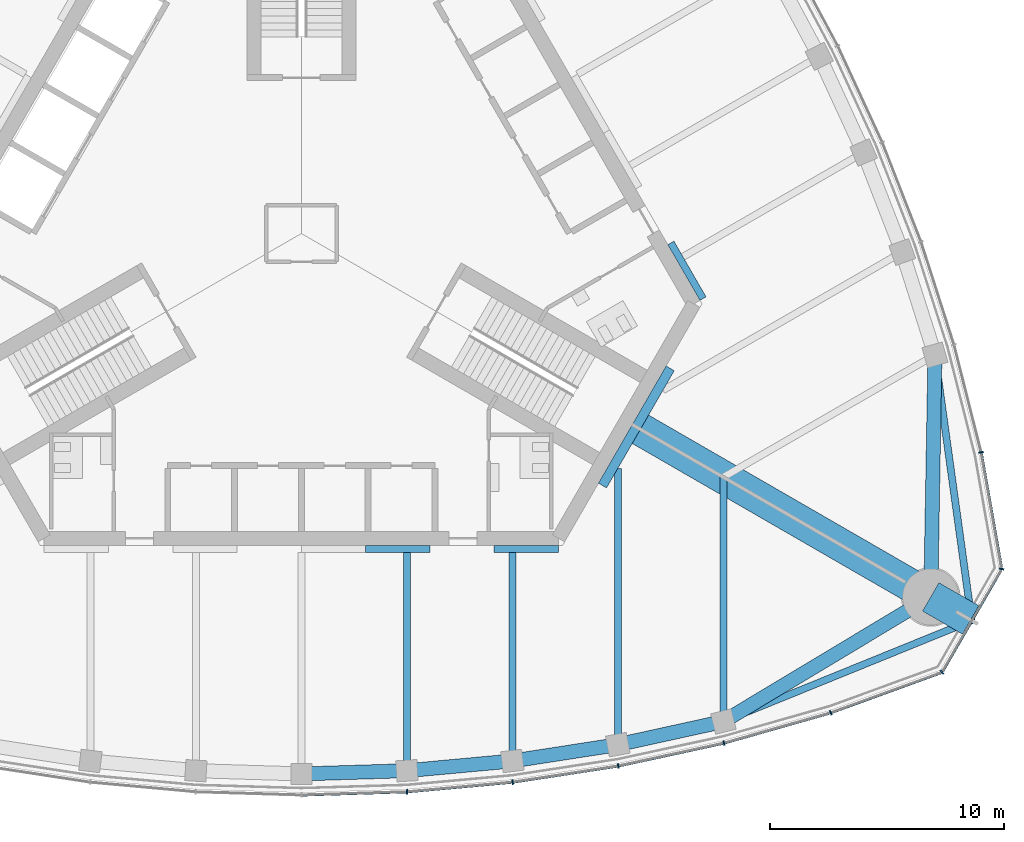
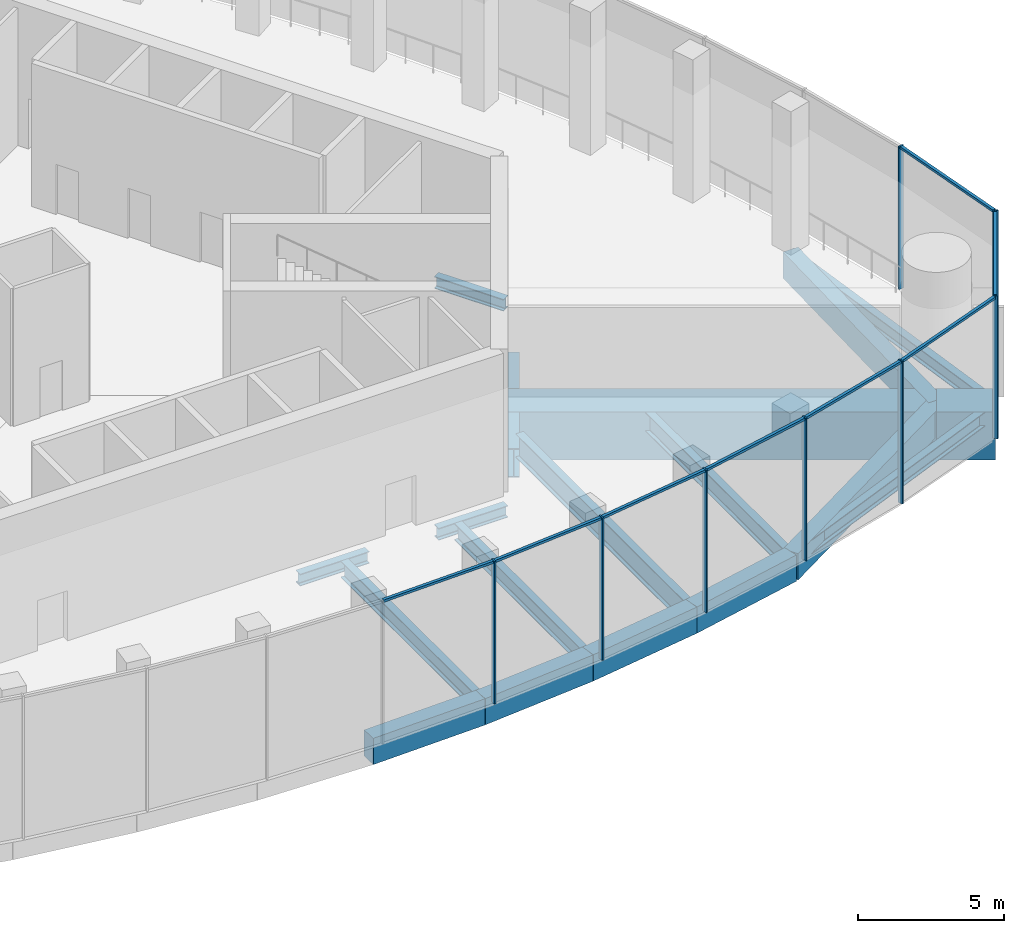
# One storey, part 4 of 15: 19 beams, 16 members, 2 elements without a shape of their own.
"""IFC4 building model written with IfcOpenShell, lengths in metres."""

from ifc_helpers import new_model, si_unit, direction, frame, origin, origin_2d, place, context, subcontext, project, spatial, rectangle, i_section, extrude, material, material_profile, profile_set, type_object, element, aggregate, save


model = new_model("IFC4")

# Units and contexts
model_context = context("Model", 3, precision=1e-05, world=origin(), true_north=direction((0.0, 1.0)))
body_context = subcontext(model_context, "Body", "Model", "MODEL_VIEW")
ifc_project = project(units=[si_unit("LENGTHUNIT", "METRE"), si_unit("AREAUNIT", "SQUARE_METRE"), si_unit("VOLUMEUNIT", "CUBIC_METRE"), si_unit("PLANEANGLEUNIT", "RADIAN"), si_unit("MASSUNIT", "GRAM", prefix="KILO")], contexts=[model_context])

# Site, building, storey
site_placement = place(None, origin())
site = spatial("IfcSite", under=ifc_project, at=site_placement, CompositionType="ELEMENT")
building_placement = place(site_placement, origin())
building = spatial("IfcBuilding", under=site, at=building_placement, Name="Trefoil Bronze Tower", CompositionType="ELEMENT")
storey_placement = place(building_placement, frame((0.0, 0.0, 322.5)))
storey = spatial("IfcBuildingStorey", under=building, at=storey_placement, Name="L74", CompositionType="ELEMENT", Elevation=322.5)

# Curtain wall, members
ifc_material_1 = material(Name="Tinted solar-control glass", Category="glass")
curtain_wall_type_1 = type_object("IfcCurtainWallType", Name="Bronze observation curtain wall", PredefinedType="USERDEFINED", material=ifc_material_1)
curtain_wall_1_placement = place(storey_placement, origin())
curtain_wall_1 = element("IfcCurtainWall", 1, at=curtain_wall_1_placement, inside=storey, type_object=curtain_wall_type_1, Name="CW-E L74 F1", ObjectType="CURTAIN WALL", PredefinedType="USERDEFINED")
ifc_material_2 = material(Name="Bronze-finish aluminium", Category="aluminium")
ifc_material_profile_1 = material_profile(ifc_material_2, rectangle(XDim=0.199951171875, YDim=0.06005859375, at=origin_2d()), Name="CW-E mullion")
ifc_profile_set_1 = profile_set([ifc_material_profile_1], Name="Bronze-finish aluminium")
member_type_1 = type_object("IfcMemberType", Name="Bronze observation curtain wall mullion", PredefinedType="MULLION", material=ifc_profile_set_1)
member_1_placement = place(storey_placement, frame((4.506103515625, -23.815185546875, 0.0), z_axis=(0.0, 0.0, 1.0), x_axis=(-0.060554040199, 0.998164920349, 0.0)))
member_1 = element("IfcMember", 2, at=member_1_placement, type_object=member_type_1, Name="CW-E L74 F1 mullion 7", PredefinedType="MULLION", context=body_context, shape_type="SweptSolid", body=[
    extrude(rectangle(XDim=0.199951171875, YDim=0.06005859375, at=origin_2d()), origin(), (0.0, 0.0, 1.0), 5.97998046875),
])
member_2_placement = place(storey_placement, frame((9.01220703125, -23.404296875, 0.0), z_axis=(0.0, 0.0, 1.0), x_axis=(-0.121109330868, 0.992639174109, 0.0)))
member_2 = element("IfcMember", 3, at=member_2_placement, type_object=member_type_1, Name="CW-E L74 F1 mullion 8", PredefinedType="MULLION", context=body_context, shape_type="SweptSolid", body=[
    extrude(rectangle(XDim=0.199951171875, YDim=0.06005859375, at=origin_2d()), origin(), (0.0, 0.0, 1.0), 5.97998046875),
])
member_3_placement = place(storey_placement, frame((13.51806640625, -22.714599609375, 0.0), z_axis=(0.0, 0.0, 1.0), x_axis=(-0.181667218242, 0.983360067227, 0.0)))
member_3 = element("IfcMember", 4, at=member_3_placement, type_object=member_type_1, Name="CW-E L74 F1 mullion 9", PredefinedType="MULLION", context=body_context, shape_type="SweptSolid", body=[
    extrude(rectangle(XDim=0.199951171875, YDim=0.06005859375, at=origin_2d()), origin(), (0.0, 0.0, 1.0), 5.97998046875),
])
member_4_placement = place(storey_placement, frame((18.024169921875, -21.73779296875, 0.0), z_axis=(0.0, 0.0, 1.0), x_axis=(-0.242394494031, 0.97017777199, 0.0)))
member_4 = element("IfcMember", 5, at=member_4_placement, type_object=member_type_1, Name="CW-E L74 F1 mullion 10", PredefinedType="MULLION", context=body_context, shape_type="SweptSolid", body=[
    extrude(rectangle(XDim=0.199951171875, YDim=0.06005859375, at=origin_2d()), origin(), (0.0, 0.0, 1.0), 5.97998046875),
])
ifc_material_3 = material(Name="Bronze-finish aluminium", Category="aluminium")
ifc_material_profile_2 = material_profile(ifc_material_3, rectangle(XDim=0.1201171875, YDim=0.10009765625, at=origin_2d()), Name="CW-E transom")
ifc_profile_set_2 = profile_set([ifc_material_profile_2], Name="Bronze-finish aluminium")
member_type_2 = type_object("IfcMemberType", Name="Bronze observation curtain wall transom", PredefinedType="USERDEFINED", material=ifc_profile_set_2)
member_5_placement = place(storey_placement, frame((0.032958984375, -23.95068359375, 5.929931640625), z_axis=(0.999541380808, 0.030282471041, 0.0), x_axis=(-0.030282471041, 0.999541380808, 0.0)))
member_5 = element("IfcMember", 6, at=member_5_placement, type_object=member_type_2, Name="CW-E L74 F1 transom 6", ObjectType="TRANSOM", PredefinedType="USERDEFINED", context=body_context, shape_type="SweptSolid", body=[
    extrude(rectangle(XDim=0.1201171875, YDim=0.10009765625, at=origin_2d()), origin(), (0.0, 0.0, 1.0), 4.442138671875),
])
member_6_placement = place(storey_placement, frame((4.5390625, -23.812255859375, 5.929931640625), z_axis=(0.995870284307, 0.090787536778, 0.0), x_axis=(-0.090787536778, 0.995870284307, 0.0)))
member_6 = element("IfcMember", 7, at=member_6_placement, type_object=member_type_2, Name="CW-E L74 F1 transom 7", ObjectType="TRANSOM", PredefinedType="USERDEFINED", context=body_context, shape_type="SweptSolid", body=[
    extrude(rectangle(XDim=0.1201171875, YDim=0.10009765625, at=origin_2d()), origin(), (0.0, 0.0, 1.0), 4.45849609375),
])
member_7_placement = place(storey_placement, frame((9.044677734375, -23.3994140625, 5.929931640625), z_axis=(0.988489507985, 0.151289433218, 0.0), x_axis=(-0.151289433218, 0.988489507985, 0.0)))
member_7 = element("IfcMember", 8, at=member_7_placement, type_object=member_type_2, Name="CW-E L74 F1 transom 8", ObjectType="TRANSOM", PredefinedType="USERDEFINED", context=body_context, shape_type="SweptSolid", body=[
    extrude(rectangle(XDim=0.1201171875, YDim=0.10009765625, at=origin_2d()), origin(), (0.0, 0.0, 1.0), 4.49267578125),
])
member_8_placement = place(storey_placement, frame((13.550537109375, -22.70751953125, 5.929931640625), z_axis=(0.977307572451, 0.211825184596, 0.0), x_axis=(-0.211825184596, 0.977307572451, 0.0)))
member_8 = element("IfcMember", 9, at=member_8_placement, type_object=member_type_2, Name="CW-E L74 F1 transom 9", ObjectType="TRANSOM", PredefinedType="USERDEFINED", context=body_context, shape_type="SweptSolid", body=[
    extrude(rectangle(XDim=0.1201171875, YDim=0.10009765625, at=origin_2d()), origin(), (0.0, 0.0, 1.0), 4.54443359375),
])
member_9_placement = place(storey_placement, frame((18.05615234375, -21.728759765625, 5.929931640625), z_axis=(0.962104086165, 0.27268246622, 0.0), x_axis=(-0.27268246622, 0.962104086165, 0.0)))
member_9 = element("IfcMember", 10, at=member_9_placement, type_object=member_type_2, Name="CW-E L74 F1 transom 10", ObjectType="TRANSOM", PredefinedType="USERDEFINED", context=body_context, shape_type="SweptSolid", body=[
    extrude(rectangle(XDim=0.1201171875, YDim=0.10009765625, at=origin_2d()), origin(), (0.0, 0.0, 1.0), 4.667236328125),
])
aggregate(curtain_wall_1, [member_1, member_2, member_3, member_4, member_5, member_6, member_7, member_8, member_9])

ifc_material_4 = material(Name="Tinted solar-control glass", Category="glass")
curtain_wall_type_2 = type_object("IfcCurtainWallType", Name="Bronze rounded corner curtain wall", PredefinedType="USERDEFINED", material=ifc_material_4)
curtain_wall_2_placement = place(storey_placement, origin())
curtain_wall_2 = element("IfcCurtainWall", 11, at=curtain_wall_2_placement, inside=storey, type_object=curtain_wall_type_2, Name="CW-B L74 K1", ObjectType="CURTAIN WALL", PredefinedType="USERDEFINED")
ifc_material_5 = material(Name="Bronze-finish aluminium", Category="aluminium")
ifc_material_profile_3 = material_profile(ifc_material_5, rectangle(XDim=0.199951171875, YDim=0.06005859375, at=origin_2d()), Name="CW-B mullion")
ifc_profile_set_3 = profile_set([ifc_material_profile_3], Name="Bronze-finish aluminium")
member_type_3 = type_object("IfcMemberType", Name="Bronze rounded corner curtain wall mullion", PredefinedType="MULLION", material=ifc_profile_set_3)
member_10_placement = place(storey_placement, frame((22.58251953125, -20.445556640625, 0.0), z_axis=(0.0, 0.0, 1.0), x_axis=(-0.342020143326, 0.939692620786, 0.0)))
member_10 = element("IfcMember", 12, at=member_10_placement, type_object=member_type_3, Name="CW-B L74 K1 mullion 1", PredefinedType="MULLION", context=body_context, shape_type="SweptSolid", body=[
    extrude(rectangle(XDim=0.199951171875, YDim=0.06005859375, at=origin_2d()), origin(), (0.0, 0.0, 1.0), 5.97998046875),
])
member_11_placement = place(storey_placement, frame((27.326416015625, -18.712646484375, 0.0), z_axis=(0.0, 0.0, 1.0), x_axis=(-0.642787609687, 0.766044443119, 0.0)))
member_11 = element("IfcMember", 13, at=member_11_placement, type_object=member_type_3, Name="CW-B L74 K1 mullion 2", PredefinedType="MULLION", context=body_context, shape_type="SweptSolid", body=[
    extrude(rectangle(XDim=0.199951171875, YDim=0.06005859375, at=origin_2d()), origin(), (0.0, 0.0, 1.0), 5.97998046875),
])
member_12_placement = place(storey_placement, frame((29.86865234375, -14.30908203125, 0.0), z_axis=(0.0, 0.0, 1.0), x_axis=(-0.984807753012, 0.173648177667, 0.0)))
member_12 = element("IfcMember", 14, at=member_12_placement, type_object=member_type_3, Name="CW-B L74 K1 mullion 3", PredefinedType="MULLION", context=body_context, shape_type="SweptSolid", body=[
    extrude(rectangle(XDim=0.199951171875, YDim=0.06005859375, at=origin_2d()), origin(), (0.0, 0.0, 1.0), 5.97998046875),
])
member_13_placement = place(storey_placement, frame((28.99755859375, -9.334228515625, 0.0), z_axis=(0.0, 0.0, 1.0), x_axis=(-0.984807753012, -0.173648177667, 0.0)))
member_13 = element("IfcMember", 15, at=member_13_placement, type_object=member_type_3, Name="CW-B L74 K1 mullion 4", PredefinedType="MULLION", context=body_context, shape_type="SweptSolid", body=[
    extrude(rectangle(XDim=0.199951171875, YDim=0.06005859375, at=origin_2d()), origin(), (0.0, 0.0, 1.0), 5.97998046875),
])
ifc_material_6 = material(Name="Bronze-finish aluminium", Category="aluminium")
ifc_material_profile_4 = material_profile(ifc_material_6, rectangle(XDim=0.1201171875, YDim=0.10009765625, at=origin_2d()), Name="CW-B transom")
ifc_profile_set_4 = profile_set([ifc_material_profile_4], Name="Bronze-finish aluminium")
member_type_4 = type_object("IfcMemberType", Name="Bronze rounded corner curtain wall transom", PredefinedType="USERDEFINED", material=ifc_profile_set_4)
member_14_placement = place(storey_placement, frame((22.610595703125, -20.435302734375, 5.929931640625), z_axis=(0.93969990549, 0.342000128103, 0.0), x_axis=(-0.342000128103, 0.93969990549, 0.0)))
member_14 = element("IfcMember", 16, at=member_14_placement, type_object=member_type_4, Name="CW-B L74 K1 transom 1", ObjectType="TRANSOM", PredefinedType="USERDEFINED", context=body_context, shape_type="SweptSolid", body=[
    extrude(rectangle(XDim=0.1201171875, YDim=0.10009765625, at=origin_2d()), origin(), (0.0, 0.0, 1.0), 4.956298828125),
])
member_15_placement = place(storey_placement, frame((27.36376953125, -18.659912109375, 5.929931640625), z_axis=(0.499985403706, 0.866033830794, 0.0), x_axis=(-0.866033830794, 0.499985403706, 0.0)))
member_15 = element("IfcMember", 17, at=member_15_placement, type_object=member_type_4, Name="CW-B L74 K1 transom 2", ObjectType="TRANSOM", PredefinedType="USERDEFINED", context=body_context, shape_type="SweptSolid", body=[
    extrude(rectangle(XDim=0.1201171875, YDim=0.10009765625, at=origin_2d()), origin(), (0.0, 0.0, 1.0), 4.956298828125),
])
member_16_placement = place(storey_placement, frame((29.863525390625, -14.244873046875, 5.929931640625), z_axis=(-0.173633591509, 0.984810324834, 0.0), x_axis=(-0.984810324834, -0.173633591509, 0.0)))
member_16 = element("IfcMember", 18, at=member_16_placement, type_object=member_type_4, Name="CW-B L74 K1 transom 3", ObjectType="TRANSOM", PredefinedType="USERDEFINED", context=body_context, shape_type="SweptSolid", body=[
    extrude(rectangle(XDim=0.1201171875, YDim=0.10009765625, at=origin_2d()), origin(), (0.0, 0.0, 1.0), 4.956298828125),
])
aggregate(curtain_wall_2, [member_10, member_11, member_12, member_13, member_14, member_15, member_16])

# Beams
ifc_material_7 = material(Name="Steel C355", Category="steel")
ifc_material_profile_5 = material_profile(ifc_material_7, i_section(OverallWidth=0.300048828125, OverallDepth=0.5, WebThickness=0.014404296875, FlangeThickness=0.028076171875, FilletRadius=0.027099609375, at=origin_2d()), Name="HEB 500")
ifc_profile_set_5 = profile_set([ifc_material_profile_5], Name="Steel C355")
beam_type_1 = type_object("IfcBeamType", Name="Core seat beam HEB 500", PredefinedType="BEAM", material=ifc_profile_set_5)
for number, where, z_axis, x_axis, name in (
    (19, (2.742431640625, -13.449951171875, -0.449951171875), (1.0, 0.0, 0.0), (0.0, 1.0, 0.0), "Core seat beam F1/+1 L74"),
    (20, (8.227294921875, -13.449951171875, -0.449951171875), (1.0, 0.0, 0.0), (0.0, 1.0, 0.0), "Core seat beam F1/+2 L74"),
    (21, (17.1328125, -2.77490234375, -0.449951171875), (-0.499969057507, 0.866043267704, 0.0), (-0.866043267704, -0.499969057507, 0.0), "Core seat beam F2/-2 L74"),
):
    element("IfcBeam", number, at=place(storey_placement, frame(where, z_axis=z_axis, x_axis=x_axis)), inside=storey, type_object=beam_type_1, Name=name, PredefinedType="BEAM", context=body_context, shape_type="SweptSolid", body=[
        extrude(i_section(OverallWidth=0.300048828125, OverallDepth=0.5, WebThickness=0.014404296875, FlangeThickness=0.028076171875, FilletRadius=0.027099609375, at=origin_2d()), origin(), (0.0, 0.0, 1.0), 2.742431640625),
    ])
ifc_material_8 = material(Name="Steel C355", Category="steel")
ifc_material_profile_6 = material_profile(ifc_material_8, i_section(OverallWidth=0.39990234375, OverallDepth=1.199951171875, WebThickness=0.02001953125, FlangeThickness=0.0400390625, FilletRadius=0.010009765625, at=origin_2d()), Name="WPG 1200")
ifc_profile_set_6 = profile_set([ifc_material_profile_6], Name="Steel C355")
beam_type_2 = type_object("IfcBeamType", Name="Core seat beam WPG 1200", PredefinedType="BEAM", material=ifc_profile_set_6)
beam_1_placement = place(storey_placement, frame((12.845947265625, -10.75, -0.800048828125), z_axis=(0.499995765644, 0.866027848477, 0.0), x_axis=(-0.866027848477, 0.499995765644, 0.0)))
element("IfcBeam", 22, at=beam_1_placement, inside=storey, type_object=beam_type_2, Name="Core seat beam F1/+3 L74", PredefinedType="BEAM", context=body_context, shape_type="SweptSolid", body=[
    extrude(i_section(OverallWidth=0.39990234375, OverallDepth=1.199951171875, WebThickness=0.02001953125, FlangeThickness=0.0400390625, FilletRadius=0.010009765625, at=origin_2d()), origin(), (0.0, 0.0, 1.0), 2.88671875),
])
beam_2_placement = place(storey_placement, frame((14.289306640625, -8.25, -0.800048828125), z_axis=(0.500059191753, 0.865991226713, 0.0), x_axis=(-0.865991226713, 0.500059191753, 0.0)))
element("IfcBeam", 23, at=beam_2_placement, inside=storey, type_object=beam_type_2, Name="Core seat beam F2/-3 L74", PredefinedType="BEAM", context=body_context, shape_type="SweptSolid", body=[
    extrude(i_section(OverallWidth=0.39990234375, OverallDepth=1.199951171875, WebThickness=0.02001953125, FlangeThickness=0.0400390625, FilletRadius=0.010009765625, at=origin_2d()), origin(), (0.0, 0.0, 1.0), 2.886962890625),
])
ifc_material_9 = material(Name="Concrete B80", Category="concrete")
ifc_material_profile_7 = material_profile(ifc_material_9, rectangle(XDim=1.39990234375, YDim=2.0, at=origin_2d()), Name="RC 1400x2000")
ifc_profile_set_7 = profile_set([ifc_material_profile_7], Name="Concrete B80")
beam_type_3 = type_object("IfcBeamType", Name="Corner cantilever RC 1400x2000", PredefinedType="BEAM", material=ifc_profile_set_7)
beam_3_placement = place(storey_placement, frame((26.8466796875, -15.5, -1.199951171875), z_axis=(0.866010470582, -0.500025864173, 0.0), x_axis=(0.500025864173, 0.866010470582, 0.0)))
element("IfcBeam", 24, at=beam_3_placement, inside=storey, type_object=beam_type_3, Name="Corner cantilever K1 L74", PredefinedType="BEAM", context=body_context, shape_type="SweptSolid", body=[
    extrude(rectangle(XDim=1.39990234375, YDim=2.0, at=origin_2d()), origin(), (0.0, 0.0, 1.0), 2.02001953125),
])
ifc_material_10 = material(Name="Steel C355", Category="steel")
ifc_material_profile_8 = material_profile(ifc_material_10, i_section(OverallWidth=0.300048828125, OverallDepth=0.60009765625, WebThickness=0.015380859375, FlangeThickness=0.030029296875, FilletRadius=0.027099609375, at=origin_2d()), Name="HEB 600")
ifc_profile_set_8 = profile_set([ifc_material_profile_8], Name="Steel C355")
beam_type_4 = type_object("IfcBeamType", Name="Corner edge beam HEB 600", PredefinedType="BEAM", material=ifc_profile_set_8)
beam_4_placement = place(storey_placement, frame((18.0, -20.816162109375, -0.5), z_axis=(0.926419351914, 0.376493272714, 0.0), x_axis=(-0.376493272714, 0.926419351914, 0.0)))
element("IfcBeam", 25, at=beam_4_placement, inside=storey, type_object=beam_type_4, Name="Corner edge beam F1A L74", PredefinedType="BEAM", context=body_context, shape_type="SweptSolid", body=[
    extrude(i_section(OverallWidth=0.300048828125, OverallDepth=0.60009765625, WebThickness=0.015380859375, FlangeThickness=0.030029296875, FilletRadius=0.027099609375, at=origin_2d()), origin(), (0.0, 0.0, 1.0), 11.4375),
])
beam_5_placement = place(storey_placement, frame((27.02734375, -5.180419921875, -0.5), z_axis=(0.137143714313, -0.990551160529, 0.0), x_axis=(0.990551160529, 0.137143714313, 0.0)))
element("IfcBeam", 26, at=beam_5_placement, inside=storey, type_object=beam_type_4, Name="Corner edge beam F2B L74", PredefinedType="BEAM", context=body_context, shape_type="SweptSolid", body=[
    extrude(i_section(OverallWidth=0.300048828125, OverallDepth=0.60009765625, WebThickness=0.015380859375, FlangeThickness=0.030029296875, FilletRadius=0.027099609375, at=origin_2d()), origin(), (0.0, 0.0, 1.0), 11.437744140625),
])
ifc_material_11 = material(Name="Concrete B80", Category="concrete")
ifc_material_profile_9 = material_profile(ifc_material_11, rectangle(XDim=1.39990234375, YDim=2.0, at=origin_2d()), Name="RC 1400x2000")
ifc_profile_set_9 = profile_set([ifc_material_profile_9], Name="Concrete B80")
beam_type_5 = type_object("IfcBeamType", Name="Corner girder RC 1400x2000", PredefinedType="BEAM", material=ifc_profile_set_9)
beam_6_placement = place(storey_placement, frame((14.1162109375, -8.14990234375, -1.199951171875), z_axis=(0.86602074674, -0.500008066151, 0.0), x_axis=(0.500008066151, 0.86602074674, 0.0)))
element("IfcBeam", 27, at=beam_6_placement, inside=storey, type_object=beam_type_5, Name="Corner girder K1 L74", PredefinedType="BEAM", context=body_context, shape_type="SweptSolid", body=[
    extrude(rectangle(XDim=1.39990234375, YDim=2.0, at=origin_2d()), origin(), (0.0, 0.0, 1.0), 14.699951171875),
])
ifc_material_12 = material(Name="Concrete B80", Category="concrete")
ifc_material_profile_10 = material_profile(ifc_material_12, rectangle(XDim=0.60009765625, YDim=1.10009765625, at=origin_2d()), Name="RC 600x1100")
ifc_profile_set_10 = profile_set([ifc_material_profile_10], Name="Concrete B80")
beam_type_6 = type_object("IfcBeamType", Name="End spandrel beam RC 600x1100", PredefinedType="SPANDREL", material=ifc_profile_set_10)
for number, where, z_axis, x_axis, name in (
    (28, (18.0, -20.816162109375, -0.75), (0.857144173035, 0.515076563855, 0.0), (-0.515076563855, 0.857144173035, 0.0), "Spandrel F1.10 L74"),
    (29, (26.8466796875, -15.5, -0.75), (0.017504237714, 0.999846789094, 0.0), (-0.999846789094, 0.017504237714, 0.0), "Spandrel F2.1 L74"),
):
    element("IfcBeam", number, at=place(storey_placement, frame(where, z_axis=z_axis, x_axis=x_axis)), inside=storey, type_object=beam_type_6, Name=name, PredefinedType="SPANDREL", context=body_context, shape_type="SweptSolid", body=[
        extrude(rectangle(XDim=0.60009765625, YDim=1.10009765625, at=origin_2d()), origin(), (0.0, 0.0, 1.0), 10.321044921875),
    ])
ifc_material_13 = material(Name="Steel C355", Category="steel")
ifc_material_profile_11 = material_profile(ifc_material_13, i_section(OverallWidth=0.300048828125, OverallDepth=1.0, WebThickness=0.01904296875, FlangeThickness=0.035888671875, FilletRadius=0.030029296875, at=origin_2d()), Name="HEB 1000")
ifc_profile_set_11 = profile_set([ifc_material_profile_11], Name="Steel C355")
beam_type_7 = type_object("IfcBeamType", Name="Floor beam HEB 1000", PredefinedType="BEAM", material=ifc_profile_set_11)
beam_7_placement = place(storey_placement, frame((13.5, -21.802734375, -0.699951171875), z_axis=(0.0, 1.0, 0.0), x_axis=(-1.0, 0.0, 0.0)))
element("IfcBeam", 30, at=beam_7_placement, inside=storey, type_object=beam_type_7, Name="Floor beam F1/+3 L74", PredefinedType="BEAM", context=body_context, shape_type="SweptSolid", body=[
    extrude(i_section(OverallWidth=0.300048828125, OverallDepth=1.0, WebThickness=0.01904296875, FlangeThickness=0.035888671875, FilletRadius=0.030029296875, at=origin_2d()), origin(), (0.0, 0.0, 1.0), 11.785400390625),
])
ifc_material_14 = material(Name="Steel C355", Category="steel")
ifc_material_profile_12 = material_profile(ifc_material_14, i_section(OverallWidth=0.300048828125, OverallDepth=0.699951171875, WebThickness=0.01708984375, FlangeThickness=0.031982421875, FilletRadius=0.027099609375, at=origin_2d()), Name="HEB 700")
ifc_profile_set_12 = profile_set([ifc_material_profile_12], Name="Steel C355")
beam_type_8 = type_object("IfcBeamType", Name="Floor beam HEB 700", PredefinedType="BEAM", material=ifc_profile_set_12)
beam_8_placement = place(storey_placement, frame((4.5, -22.913818359375, -0.550048828125), z_axis=(0.0, 1.0, 0.0), x_axis=(-1.0, 0.0, 0.0)))
element("IfcBeam", 31, at=beam_8_placement, inside=storey, type_object=beam_type_8, Name="Floor beam F1/+1 L74", PredefinedType="BEAM", context=body_context, shape_type="SweptSolid", body=[
    extrude(i_section(OverallWidth=0.300048828125, OverallDepth=0.699951171875, WebThickness=0.01708984375, FlangeThickness=0.031982421875, FilletRadius=0.027099609375, at=origin_2d()), origin(), (0.0, 0.0, 1.0), 9.313720703125),
])
beam_9_placement = place(storey_placement, frame((9.0, -22.499267578125, -0.550048828125), z_axis=(0.0, 1.0, 0.0), x_axis=(-1.0, 0.0, 0.0)))
element("IfcBeam", 32, at=beam_9_placement, inside=storey, type_object=beam_type_8, Name="Floor beam F1/+2 L74", PredefinedType="BEAM", context=body_context, shape_type="SweptSolid", body=[
    extrude(i_section(OverallWidth=0.300048828125, OverallDepth=0.699951171875, WebThickness=0.01708984375, FlangeThickness=0.031982421875, FilletRadius=0.027099609375, at=origin_2d()), origin(), (0.0, 0.0, 1.0), 8.899169921875),
])
ifc_material_15 = material(Name="Steel C355", Category="steel")
ifc_material_profile_13 = material_profile(ifc_material_15, i_section(OverallWidth=0.300048828125, OverallDepth=0.800048828125, WebThickness=0.017578125, FlangeThickness=0.032958984375, FilletRadius=0.030029296875, at=origin_2d()), Name="HEB 800")
ifc_profile_set_13 = profile_set([ifc_material_profile_13], Name="Steel C355")
beam_type_9 = type_object("IfcBeamType", Name="Floor beam HEB 800", PredefinedType="BEAM", material=ifc_profile_set_13)
beam_10_placement = place(storey_placement, frame((18.0, -20.816162109375, -0.60009765625), z_axis=(0.0, 1.0, 0.0), x_axis=(-1.0, 0.0, 0.0)))
element("IfcBeam", 33, at=beam_10_placement, inside=storey, type_object=beam_type_9, Name="Floor beam F1/+4 L74", PredefinedType="BEAM", context=body_context, shape_type="SweptSolid", body=[
    extrude(i_section(OverallWidth=0.300048828125, OverallDepth=0.800048828125, WebThickness=0.017578125, FlangeThickness=0.032958984375, FilletRadius=0.030029296875, at=origin_2d()), origin(), (0.0, 0.0, 1.0), 10.423828125),
])
ifc_material_16 = material(Name="Concrete B80", Category="concrete")
ifc_material_profile_14 = material_profile(ifc_material_16, rectangle(XDim=0.60009765625, YDim=1.10009765625, at=origin_2d()), Name="RC 600x1100")
ifc_profile_set_14 = profile_set([ifc_material_profile_14], Name="Concrete B80")
beam_type_10 = type_object("IfcBeamType", Name="Spandrel beam RC 600x1100", PredefinedType="SPANDREL", material=ifc_profile_set_14)
beam_11_placement = place(storey_placement, frame((0.0, -23.051513671875, -0.75), z_axis=(0.999532180362, 0.03058464354, 0.0), x_axis=(-0.03058464354, 0.999532180362, 0.0)))
element("IfcBeam", 34, at=beam_11_placement, inside=storey, type_object=beam_type_10, Name="Spandrel F1.6 L74", PredefinedType="SPANDREL", context=body_context, shape_type="SweptSolid", body=[
    extrude(rectangle(XDim=0.60009765625, YDim=1.10009765625, at=origin_2d()), origin(), (0.0, 0.0, 1.0), 4.502197265625),
])
beam_12_placement = place(storey_placement, frame((4.5, -22.913818359375, -0.75), z_axis=(0.995783550481, 0.091733966402, 0.0), x_axis=(-0.091733966402, 0.995783550481, 0.0)))
element("IfcBeam", 35, at=beam_12_placement, inside=storey, type_object=beam_type_10, Name="Spandrel F1.7 L74", PredefinedType="SPANDREL", context=body_context, shape_type="SweptSolid", body=[
    extrude(rectangle(XDim=0.60009765625, YDim=1.10009765625, at=origin_2d()), origin(), (0.0, 0.0, 1.0), 4.51904296875),
])
beam_13_placement = place(storey_placement, frame((9.0, -22.499267578125, -0.75), z_axis=(0.988231820946, 0.152963616816, 0.0), x_axis=(-0.152963616816, 0.988231820946, 0.0)))
element("IfcBeam", 36, at=beam_13_placement, inside=storey, type_object=beam_type_10, Name="Spandrel F1.8 L74", PredefinedType="SPANDREL", context=body_context, shape_type="SweptSolid", body=[
    extrude(rectangle(XDim=0.60009765625, YDim=1.10009765625, at=origin_2d()), origin(), (0.0, 0.0, 1.0), 4.553466796875),
])
beam_14_placement = place(storey_placement, frame((13.5, -21.802734375, -0.75), z_axis=(0.976800342355, 0.214152028182, 0.0), x_axis=(-0.214152028182, 0.976800342355, 0.0)))
element("IfcBeam", 37, at=beam_14_placement, inside=storey, type_object=beam_type_10, Name="Spandrel F1.9 L74", PredefinedType="SPANDREL", context=body_context, shape_type="SweptSolid", body=[
    extrude(rectangle(XDim=0.60009765625, YDim=1.10009765625, at=origin_2d()), origin(), (0.0, 0.0, 1.0), 4.60693359375),
])

save(model, "model.ifc")
